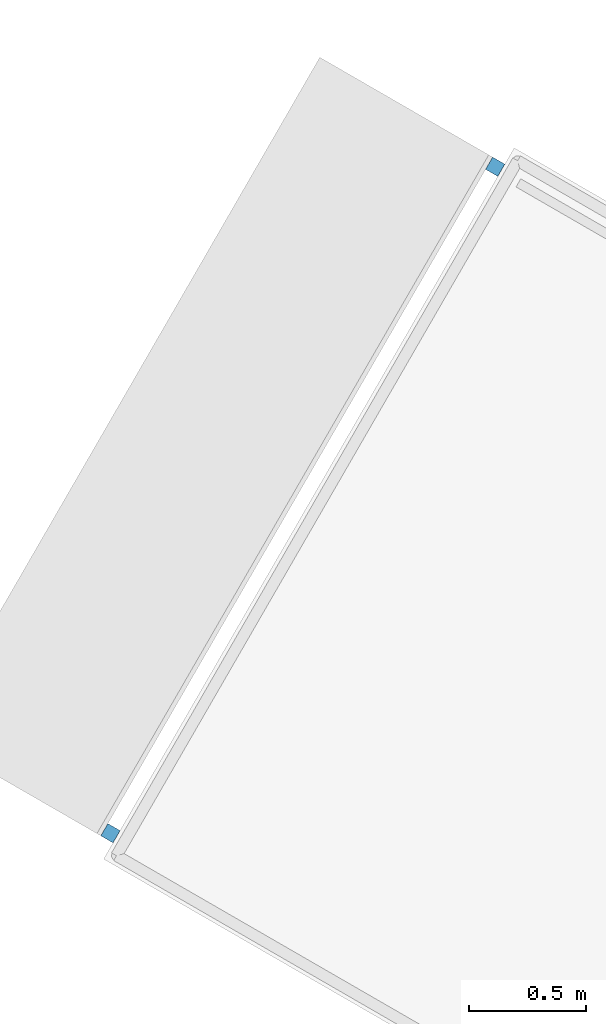
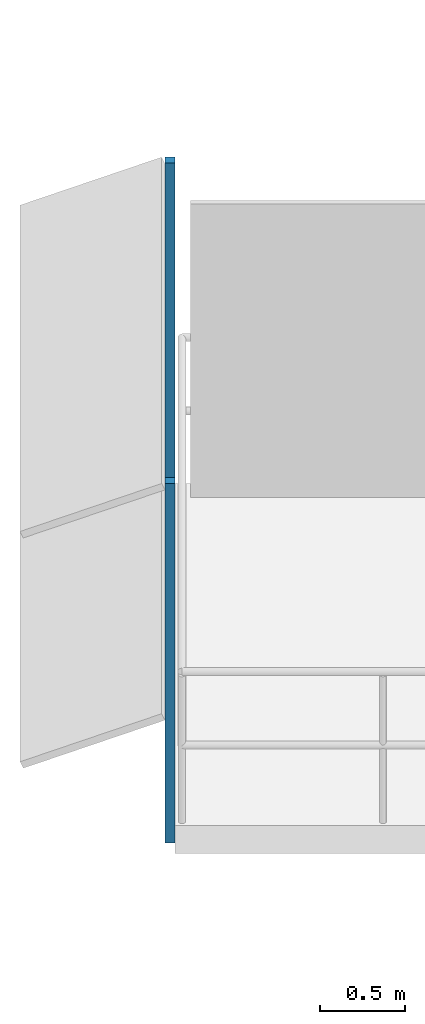
# One storey, part 11 of 14: 2 discrete accessories.
"""IFC4 building model written with IfcOpenShell, lengths in metres."""

from ifc_helpers import new_model, si_unit, direction, frame, origin, origin_2d, place, context, subcontext, project, spatial, rectangle, extrude, material, type_object, element, save


model = new_model("IFC4")

# Units and contexts
model_context = context("Model", 3, precision=1e-05, world=origin(), true_north=direction((0.0, 1.0)))
body_context = subcontext(model_context, "Body", "Model", "MODEL_VIEW")
ifc_project = project(units=[si_unit("LENGTHUNIT", "METRE"), si_unit("AREAUNIT", "SQUARE_METRE"), si_unit("VOLUMEUNIT", "CUBIC_METRE"), si_unit("PLANEANGLEUNIT", "RADIAN"), si_unit("MASSUNIT", "GRAM", prefix="KILO")], contexts=[model_context])

# Site, building, storey
site_placement = place(None, origin())
site = spatial("IfcSite", under=ifc_project, at=site_placement, CompositionType="ELEMENT")
building_placement = place(site_placement, origin())
building = spatial("IfcBuilding", under=site, at=building_placement, Name="Nakaniwa Court", CompositionType="ELEMENT")
storey_placement = place(building_placement, frame((0.0, 0.0, 265.800048828125)))
storey = spatial("IfcBuildingStorey", under=building, at=storey_placement, Name="L70", CompositionType="ELEMENT", Elevation=265.800048828125)

# Discrete accessories
ifc_material = material(Name="Black powder-coated steel bracket S275", Category="steel")
discrete_accessory_type = type_object("IfcDiscreteAccessoryType", Name="Black metal louvre bracket", PredefinedType="BRACKET", material=ifc_material)
for number, where, z_axis, x_axis, name in (
    (1, (58.026611328125, 92.100830078125, -0.22998046875), (0.0, 0.0, 1.0), (-0.499986396443, -0.866033257659, 0.0), "L70 louvre bracket 01 1"),
    (2, (56.386962890625, 89.260986328125, -0.22998046875), (0.0, 0.0, 1.0), (-0.499986396443, -0.866033257659, 0.0), "L70 louvre bracket 01 2"),
):
    element("IfcDiscreteAccessory", number, at=place(storey_placement, frame(where, z_axis=z_axis, x_axis=x_axis)), inside=storey, type_object=discrete_accessory_type, Name=name, PredefinedType="BRACKET", context=body_context, shape_type="SweptSolid", body=[
        extrude(rectangle(XDim=0.06005859375, YDim=0.06005859375, at=origin_2d()), origin(), (0.0, 0.0, 1.0), 2.5751953125),
    ])

save(model, "model.ifc")
